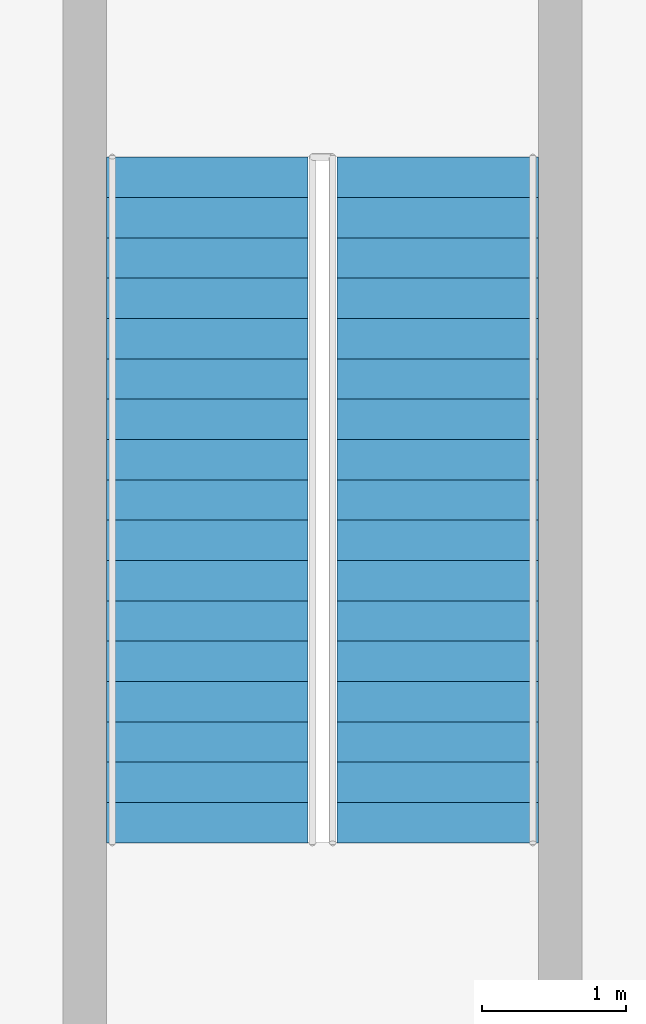
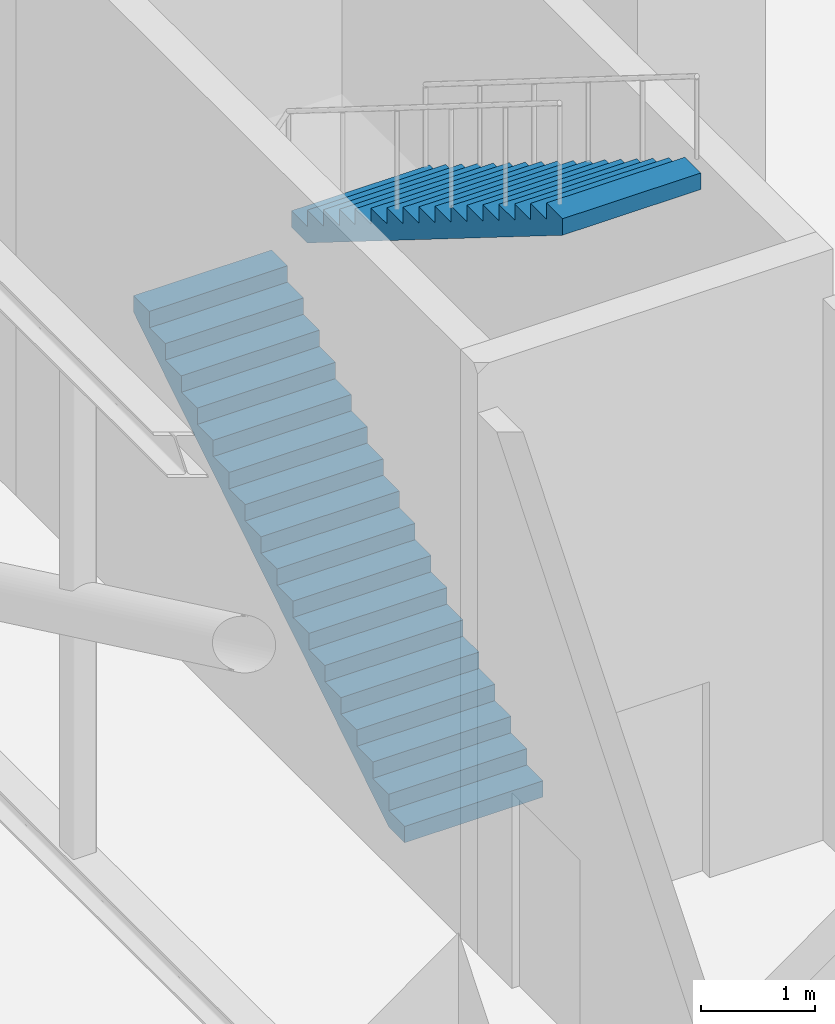
# One storey, part 12 of 14: 2 stair flights, 1 element without a shape of its own.
"""IFC4 building model written with IfcOpenShell, lengths in metres."""

from ifc_helpers import new_model, si_unit, direction, frame, origin, place, context, subcontext, project, spatial, polyline, outline, extrude, material, type_object, element, aggregate, save


model = new_model("IFC4")

# Units and contexts
model_context = context("Model", 3, precision=1e-05, world=origin(), true_north=direction((0.0, 1.0)))
body_context = subcontext(model_context, "Body", "Model", "MODEL_VIEW")
ifc_project = project(units=[si_unit("LENGTHUNIT", "METRE"), si_unit("AREAUNIT", "SQUARE_METRE"), si_unit("VOLUMEUNIT", "CUBIC_METRE"), si_unit("PLANEANGLEUNIT", "RADIAN"), si_unit("MASSUNIT", "GRAM", prefix="KILO")], contexts=[model_context])

# Site, building, storey
site_placement = place(None, origin())
site = spatial("IfcSite", under=ifc_project, at=site_placement, CompositionType="ELEMENT")
building_placement = place(site_placement, origin())
building = spatial("IfcBuilding", under=site, at=building_placement, Name="Brigalow Station Residences", CompositionType="ELEMENT")
storey_placement = place(building_placement, frame((0.0, 0.0, 130.800048828125)))
storey = spatial("IfcBuildingStorey", under=building, at=storey_placement, Name="L38", CompositionType="ELEMENT", Elevation=130.800048828125)

# Stair, stair flights
ifc_material_1 = material(Name="Concrete C50", Category="concrete")
stair_type = type_object("IfcStairType", Name="EXIT STAIR 1400 2 FLIGHT", PredefinedType="HALF_TURN_STAIR", material=ifc_material_1)
stair_placement = place(storey_placement, origin())
stair = element("IfcStair", 1, at=stair_placement, inside=storey, type_object=stair_type, Name="EXIT STAIR S3 L38", PredefinedType="HALF_TURN_STAIR")
ifc_material_2 = material(Name="Concrete C50", Category="concrete")
stair_flight_type = type_object("IfcStairFlightType", Name="STAIR FLIGHT 1400", PredefinedType="STRAIGHT", material=ifc_material_2)
stair_flight_1_placement = place(storey_placement, frame((57.199951171875, 28.800048828125, 0.0), z_axis=(0.0, 0.0, 1.0), x_axis=(0.0, 1.0, 0.0)))
stair_flight_1 = element("IfcStairFlight", 2, at=stair_flight_1_placement, type_object=stair_flight_type, Name="ST-3 flight 1", NumberOfRisers=18, NumberOfTreads=17, PredefinedType="STRAIGHT", RiserHeight=0.175, TreadLength=0.28, context=body_context, shape_type="SweptSolid", body=[
    extrude(outline(polyline([(0.0, 0.0), (0.0, 0.175048828125), (0.280029296875, 0.175048828125), (0.280029296875, 0.35009765625), (0.56005859375, 0.35009765625), (0.56005859375, 0.52490234375), (0.840087890625, 0.52490234375), (0.840087890625, 0.699951171875), (1.1201171875, 0.699951171875), (1.1201171875, 0.875), (1.39990234375, 0.875), (1.39990234375, 1.050048828125), (1.679931640625, 1.050048828125), (1.679931640625, 1.22509765625), (1.9599609375, 1.22509765625), (1.9599609375, 1.39990234375), (2.239990234375, 1.39990234375), (2.239990234375, 1.574951171875), (2.52001953125, 1.574951171875), (2.52001953125, 1.75), (2.800048828125, 1.75), (2.800048828125, 1.925048828125), (3.080078125, 1.925048828125), (3.080078125, 2.10009765625), (3.360107421875, 2.10009765625), (3.360107421875, 2.27490234375), (3.639892578125, 2.27490234375), (3.639892578125, 2.449951171875), (3.919921875, 2.449951171875), (3.919921875, 2.625), (4.199951171875, 2.625), (4.199951171875, 2.800048828125), (4.47998046875, 2.800048828125), (4.47998046875, 2.97509765625), (4.760009765625, 2.97509765625), (4.760009765625, 3.14990234375), (4.760009765625, 2.79833984375), (0.28271484375, 0.0), (0.0, 0.0)])), frame((0.0, 0.699951171875, 0.0), z_axis=(0.0, -1.0, 0.0), x_axis=(1.0, 0.0, 0.0)), (0.0, 0.0, 1.0), 1.39990234375),
])
stair_flight_2_placement = place(storey_placement, frame((58.800048828125, 33.56005859375, 3.14990234375), z_axis=(0.0, 0.0, 1.0), x_axis=(0.0, -1.0, 0.0)))
stair_flight_2 = element("IfcStairFlight", 3, at=stair_flight_2_placement, type_object=stair_flight_type, Name="ST-3 flight 2", NumberOfRisers=18, NumberOfTreads=17, PredefinedType="STRAIGHT", RiserHeight=0.175, TreadLength=0.28, context=body_context, shape_type="SweptSolid", body=[
    extrude(outline(polyline([(0.0, 0.0), (0.0, 0.175048828125), (0.280029296875, 0.175048828125), (0.280029296875, 0.35009765625), (0.56005859375, 0.35009765625), (0.56005859375, 0.52490234375), (0.840087890625, 0.52490234375), (0.840087890625, 0.699951171875), (1.1201171875, 0.699951171875), (1.1201171875, 0.875), (1.39990234375, 0.875), (1.39990234375, 1.050048828125), (1.679931640625, 1.050048828125), (1.679931640625, 1.22509765625), (1.9599609375, 1.22509765625), (1.9599609375, 1.39990234375), (2.239990234375, 1.39990234375), (2.239990234375, 1.574951171875), (2.52001953125, 1.574951171875), (2.52001953125, 1.75), (2.800048828125, 1.75), (2.800048828125, 1.925048828125), (3.080078125, 1.925048828125), (3.080078125, 2.10009765625), (3.360107421875, 2.10009765625), (3.360107421875, 2.27490234375), (3.639892578125, 2.27490234375), (3.639892578125, 2.449951171875), (3.919921875, 2.449951171875), (3.919921875, 2.625), (4.199951171875, 2.625), (4.199951171875, 2.800048828125), (4.47998046875, 2.800048828125), (4.47998046875, 2.97509765625), (4.760009765625, 2.97509765625), (4.760009765625, 3.14990234375), (4.760009765625, 2.79833984375), (0.28271484375, 0.0), (0.0, 0.0)])), frame((0.0, 0.699951171875, 0.0), z_axis=(0.0, -1.0, 0.0), x_axis=(1.0, 0.0, 0.0)), (0.0, 0.0, 1.0), 1.39990234375),
])
aggregate(stair, [stair_flight_1, stair_flight_2])

save(model, "model.ifc")
